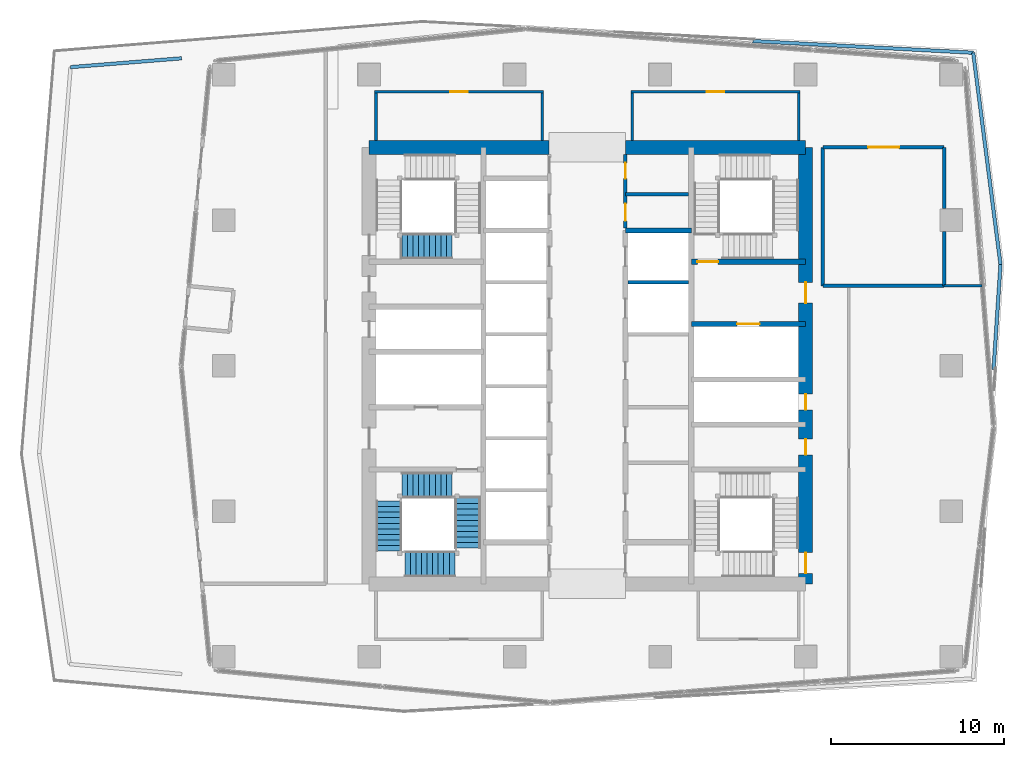
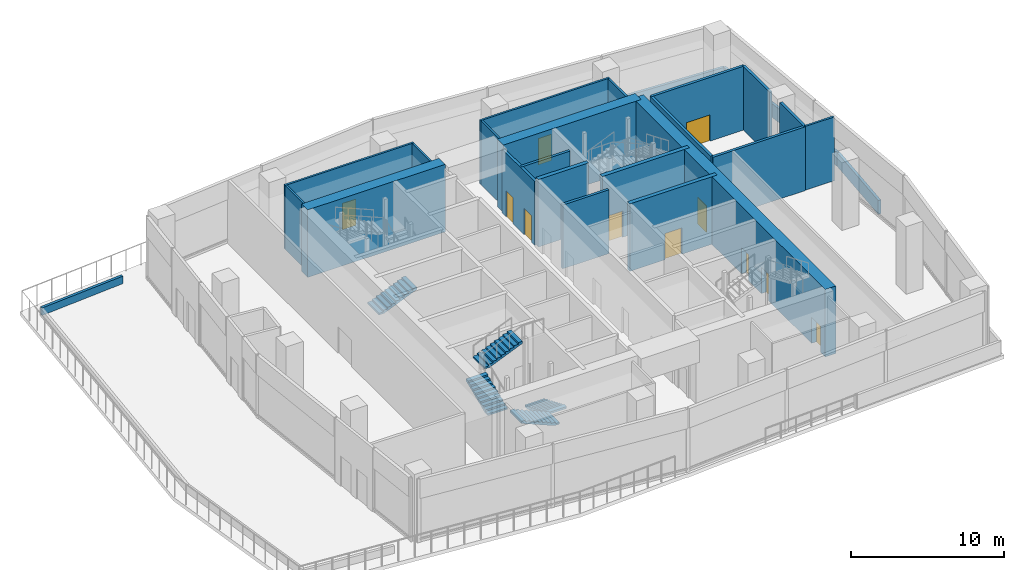
# One storey, part 14 of 22: 25 walls, 11 doors, 5 stair flights, 11 openings, 2 elements without a shape of their own.
"""IFC4 building model written with IfcOpenShell, lengths in metres."""

import ifcopenshell
import ifcopenshell.guid

model = None  # the IFC model being written
_history = None  # IfcOwnerHistory: only IFC2X3 demands one
_inside = {}  # id of a spatial element -> (the spatial element, [elements in it])
_under = {}  # id of a project, library or spatial element -> (it, [spatial elements below it])
_declared = {}  # id of a project -> (the project, [libraries it declares])
_typed = {}  # id of a type object -> (the type object, [elements of that type])
_made_of = {}  # id of a material, layer set ... -> (it, [elements and type objects made of it])


def new_model(schema):
    """Start an empty IFC model of exactly this schema.

    Asked for "IFC4X3", IfcOpenShell would pick the latest addendum, in which some entities
    have other attributes; the version numbers below select the first issue.
    IFC2X3 requires an IfcOwnerHistory on every rooted entity: one is made here for all.
    """
    global model, _history
    if schema == "IFC4X3":
        model = ifcopenshell.file(schema_version=(4, 3, 0, 0))
    else:
        model = ifcopenshell.file(schema=schema)
    _inside.clear()
    _under.clear()
    _declared.clear()
    _typed.clear()
    _made_of.clear()
    _history = None
    if model.schema == "IFC2X3":
        org = make("IfcOrganization", Name="unknown")
        user = make(
            "IfcPersonAndOrganization",
            ThePerson=make("IfcPerson", FamilyName="unknown"),
            TheOrganization=org,
        )
        app = make(
            "IfcApplication",
            ApplicationDeveloper=org,
            Version="unknown",
            ApplicationFullName="unknown",
            ApplicationIdentifier="unknown",
        )
        _history = make(
            "IfcOwnerHistory",
            OwningUser=user,
            OwningApplication=app,
            ChangeAction="ADDED",
            CreationDate=0,
        )
    return model


def make(cls, **values):
    """One entity of the class cls with the attributes given. An attribute that is None is left unset."""
    return model.create_entity(
        cls, **{name: value for name, value in values.items() if value is not None}
    )


def rooted(cls, **values):
    """An entity with a GlobalId (a new one), such as an element, a storey or a relation."""
    return make(cls, GlobalId=ifcopenshell.guid.new(), OwnerHistory=_history, **values)


def si_unit(unit_type, name, prefix=None):
    """IfcSIUnit, for example si_unit("LENGTHUNIT", "METRE", prefix="MILLI")."""
    return make("IfcSIUnit", UnitType=unit_type, Prefix=prefix, Name=name)


def assignment(units):
    """IfcUnitAssignment: the units of a project."""
    return None if units is None else make("IfcUnitAssignment", Units=units)


def point(xyz):
    """IfcCartesianPoint."""
    return None if xyz is None else make("IfcCartesianPoint", Coordinates=xyz)


def direction(xyz):
    """IfcDirection."""
    return None if xyz is None else make("IfcDirection", DirectionRatios=xyz)


def frame(location, z_axis=None, x_axis=None):
    """IfcAxis2Placement3D, a coordinate frame: its origin and axes. An axis left out is left unset."""
    return make(
        "IfcAxis2Placement3D",
        Location=point(location),
        Axis=direction(z_axis),
        RefDirection=direction(x_axis),
    )


def frame_2d(location, x_axis=None):
    """IfcAxis2Placement2D, a coordinate frame in the plane: its origin and x axis."""
    return make(
        "IfcAxis2Placement2D", Location=point(location), RefDirection=direction(x_axis)
    )


def origin():
    """The frame at (0, 0, 0) with its axes left unset."""
    return frame((0.0, 0.0, 0.0))


def place(relative_to, where):
    """IfcLocalPlacement: puts the frame where relative to a parent placement (None: the world)."""
    return make(
        "IfcLocalPlacement", PlacementRelTo=relative_to, RelativePlacement=where
    )


def context(
    kind, dimensions, precision=None, world=None, true_north=None, identifier=None
):
    """IfcGeometricRepresentationContext, for example the 3D "Model" context."""
    return make(
        "IfcGeometricRepresentationContext",
        ContextIdentifier=identifier,
        ContextType=kind,
        CoordinateSpaceDimension=dimensions,
        Precision=precision,
        WorldCoordinateSystem=world,
        TrueNorth=true_north,
    )


def subcontext(parent, identifier, kind, view, scale=None):
    """IfcGeometricRepresentationSubContext, for example "Body" below "Model"."""
    return make(
        "IfcGeometricRepresentationSubContext",
        ContextIdentifier=identifier,
        ContextType=kind,
        ParentContext=parent,
        TargetScale=scale,
        TargetView=view,
    )


def project(units=None, contexts=None):
    """IfcProject with its units and contexts."""
    return rooted(
        "IfcProject",
        Name="project",
        RepresentationContexts=contexts,
        UnitsInContext=assignment(units),
    )


def spatial(cls, under=None, at=None, **own):
    """A site, building, storey or space (cls), placed at a placement, below another one or the project."""
    s = rooted(cls, ObjectPlacement=at, **own)
    if under is not None:
        _under.setdefault(under.id(), (under, []))[1].append(s)
    return s


def polyline(points):
    """IfcPolyline through the points."""
    return make("IfcPolyline", Points=[point(p) for p in points])


def profile(cls, at=None, kind="AREA", **sizes):
    """A parametric profile (cls). Its sizes go by their IFC names, for example OverallWidth=200.0."""
    return make(cls, ProfileType=kind, Position=at, **sizes)


def rectangle(**sizes):
    """IfcRectangleProfileDef."""
    return profile("IfcRectangleProfileDef", **sizes)


def outline(outer, holes=None, kind="AREA"):
    """IfcArbitraryClosedProfileDef: a profile drawn as a closed curve; with holes, ...WithVoids."""
    if holes is None:
        return make("IfcArbitraryClosedProfileDef", ProfileType=kind, OuterCurve=outer)
    return make(
        "IfcArbitraryProfileDefWithVoids",
        ProfileType=kind,
        OuterCurve=outer,
        InnerCurves=holes,
    )


def extrude(swept, where, along, depth):
    """IfcExtrudedAreaSolid: the profile swept, set in the frame where, extruded along a direction by depth."""
    return make(
        "IfcExtrudedAreaSolid",
        SweptArea=swept,
        Position=where,
        ExtrudedDirection=direction(along),
        Depth=depth,
    )


def shape(context_of_items, identifier, shape_type, items):
    """IfcShapeRepresentation: the items that make up one representation, for example the "Body"."""
    return make(
        "IfcShapeRepresentation",
        ContextOfItems=context_of_items,
        RepresentationIdentifier=identifier,
        RepresentationType=shape_type,
        Items=items,
    )


def material(Name=None, Category=None):
    """IfcMaterial."""
    return make("IfcMaterial", Name=Name, Category=Category)


def layer(
    of_material, thickness, ventilated=None, Name=None, Category=None, Priority=None
):
    """IfcMaterialLayer: one layer of a wall or slab, of a material (None: an air gap)."""
    return make(
        "IfcMaterialLayer",
        Material=of_material,
        LayerThickness=thickness,
        IsVentilated=ventilated,
        Name=Name,
        Category=Category,
        Priority=Priority,
    )


def layer_set(layers, Name=None):
    """IfcMaterialLayerSet."""
    return make("IfcMaterialLayerSet", MaterialLayers=layers, LayerSetName=Name)


def made_of(thing, what):
    """Note that an element or type object is made of a material, layer set ...; save() writes the relation."""
    if what is not None:
        _made_of.setdefault(what.id(), (what, []))[1].append(thing)
    return thing


def type_object(cls, material=None, **own):
    """A type object (cls), such as IfcWallType, which elements share."""
    return made_of(rooted(cls, **own), material)


def element(
    cls,
    number,
    at=None,
    inside=None,
    cuts=None,
    type_object=None,
    material=None,
    context=None,
    identifier="Body",
    shape_type=None,
    held_by="IfcProductDefinitionShape",
    body=None,
    shapes=None,
    **own,
):
    """One element of the class cls, such as IfcWall. Its Tag is "e" and its number.

    at: its placement. inside: the storey or other place that contains it. cuts: it is an
    opening in that element (IfcRelVoidsElement). A single representation is given by context,
    identifier, shape_type and body (its items); several are given by shapes. held_by: the class
    of the entity that holds the representations. save() writes the other relations.
    """
    e = rooted(cls, Tag="e%d" % number, ObjectPlacement=at, **own)
    if body is not None:
        shapes = [shape(context, identifier, shape_type, body)]
    if shapes is not None:
        e.Representation = make(held_by, Representations=shapes)
    if inside is not None:
        _inside.setdefault(inside.id(), (inside, []))[1].append(e)
    if cuts is not None:
        rooted(
            "IfcRelVoidsElement", RelatingBuildingElement=cuts, RelatedOpeningElement=e
        )
    if type_object is not None:
        _typed.setdefault(type_object.id(), (type_object, []))[1].append(e)
    return made_of(e, material)


def fill(opening, filler):
    """IfcRelFillsElement: the door or window that sits in an opening."""
    return rooted(
        "IfcRelFillsElement",
        RelatingOpeningElement=opening,
        RelatedBuildingElement=filler,
    )


def aggregate(whole, parts):
    """IfcRelAggregates: a whole, such as a stair, and the parts it consists of."""
    return rooted("IfcRelAggregates", RelatingObject=whole, RelatedObjects=parts)


def save(model, path):
    """Write the relations noted so far, then the file.

    IfcRelAggregates (storeys below a building ...), IfcRelContainedInSpatialStructure (elements
    in a storey), IfcRelDefinesByType, IfcRelAssociatesMaterial and IfcRelDeclares: one each for
    every whole, place, type object, material and project.
    """
    for whole, parts in _under.values():
        aggregate(whole, parts)
    for where, things in _inside.values():
        rooted(
            "IfcRelContainedInSpatialStructure",
            RelatedElements=things,
            RelatingStructure=where,
        )
    for kind, things in _typed.values():
        rooted("IfcRelDefinesByType", RelatedObjects=things, RelatingType=kind)
    for what, things in _made_of.values():
        rooted("IfcRelAssociatesMaterial", RelatedObjects=things, RelatingMaterial=what)
    for by, libraries in _declared.values():
        rooted("IfcRelDeclares", RelatingContext=by, RelatedDefinitions=libraries)
    model.write(path)


model = new_model("IFC4")

# Units and contexts
model_context = context("Model", 3, precision=1e-05, world=origin(), true_north=direction((0.0, 1.0)))
body_context = subcontext(model_context, "Body", "Model", "MODEL_VIEW")
ifc_project = project(units=[si_unit("LENGTHUNIT", "METRE"), si_unit("AREAUNIT", "SQUARE_METRE"), si_unit("VOLUMEUNIT", "CUBIC_METRE"), si_unit("PLANEANGLEUNIT", "RADIAN"), si_unit("MASSUNIT", "GRAM", prefix="KILO")], contexts=[model_context])

# Site, building, storey
site_placement = place(None, origin())
site = spatial("IfcSite", under=ifc_project, at=site_placement, CompositionType="ELEMENT")
building_placement = place(site_placement, origin())
building = spatial("IfcBuilding", under=site, at=building_placement, Name="Rekha Terrace Tower", CompositionType="ELEMENT")
storey_placement = place(building_placement, frame((0.0, 0.0, 291.35009765625)))
storey = spatial("IfcBuildingStorey", under=building, at=storey_placement, Name="L74", CompositionType="ELEMENT", Elevation=291.35009765625)

# Wall
ifc_material_1 = material(Name="Concrete M60", Category="concrete")
ifc_layer_1 = layer(ifc_material_1, 0.300048828125)
ifc_layer_set_1 = layer_set([ifc_layer_1], Name="Concrete M60")
wall_type_1 = type_object("IfcWallType", Name="CI5 300 core internal shear wall", PredefinedType="SHEAR", material=ifc_layer_set_1)
wall_1_placement = place(storey_placement, frame((40.0, 41.39990234375, 0.0), z_axis=(0.0, 0.0, 1.0), x_axis=(1.0, 0.0, 0.0)))
element("IfcWall", 1, at=wall_1_placement, inside=storey, type_object=wall_type_1, Name="Core wall Y414E L74", PredefinedType="SHEAR", context=body_context, shape_type="SweptSolid", body=[
    extrude(rectangle(XDim=3.800048828125, YDim=0.300048828125, at=frame_2d((1.89990234375, 0.0))), origin(), (0.0, 0.0, 1.0), 5.39990234375),
])

# Wall, opening, door
wall_2_placement = place(storey_placement, frame((43.800048828125, 36.0, 0.0), z_axis=(0.0, 0.0, 1.0), x_axis=(1.0, 0.0, 0.0)))
wall_2 = element("IfcWall", 2, at=wall_2_placement, inside=storey, type_object=wall_type_1, Name="Core wall Y360E L74", PredefinedType="SHEAR", context=body_context, shape_type="SweptSolid", body=[
    extrude(rectangle(XDim=6.599853515625, YDim=0.300048828125, at=frame_2d((3.2998046875, 0.0))), origin(), (0.0, 0.0, 1.0), 5.39990234375),
])
opening_1_placement = place(wall_2_placement, frame((2.64990234375, 0.0, 0.0)))
opening_1 = element("IfcOpeningElement", 3, at=opening_1_placement, cuts=wall_2, Name="Opening LD2", PredefinedType="OPENING", context=body_context, shape_type="SweptSolid", body=[
    extrude(rectangle(XDim=1.300048828125, YDim=2.10009765625, at=frame_2d((0.64990234375, 1.050048828125))), frame((0.0, 0.159912109375, 0.0), z_axis=(0.0, -1.0, 0.0), x_axis=(1.0, 0.0, 0.0)), (0.0, 0.0, 1.0), 0.320068359375),
])
ifc_material_2 = material(Name="Stainless steel sliding landing door", Category="steel")
door_type_1 = type_object("IfcDoorType", Name="LD2 1300x2100 fire lift landing door", OperationType="SLIDING_TO_LEFT", PredefinedType="USERDEFINED", material=ifc_material_2)
door_1_placement = place(opening_1_placement, origin())
door_1 = element("IfcDoor", 4, at=door_1_placement, inside=storey, type_object=door_type_1, Name="Lift FL2 landing door L74", ObjectType="LIFT LANDING DOOR", OperationType="SLIDING_TO_LEFT", OverallHeight=2.10009765625, OverallWidth=1.300048828125, PredefinedType="USERDEFINED", context=body_context, shape_type="SweptSolid", body=[
    extrude(rectangle(XDim=1.300048828125, YDim=2.10009765625, at=frame_2d((0.64990234375, 1.050048828125))), frame((0.0, 0.02490234375, 0.0), z_axis=(0.0, -1.0, 0.0), x_axis=(1.0, 0.0, 0.0)), (0.0, 0.0, 1.0), 0.050048828125),
])
fill(opening_1, door_1)

wall_3_placement = place(storey_placement, frame((43.800048828125, 39.60009765625, 0.0), z_axis=(0.0, 0.0, 1.0), x_axis=(1.0, 0.0, 0.0)))
wall_3 = element("IfcWall", 5, at=wall_3_placement, inside=storey, type_object=wall_type_1, Name="Core wall Y396E L74", PredefinedType="SHEAR", context=body_context, shape_type="SweptSolid", body=[
    extrude(rectangle(XDim=6.599853515625, YDim=0.300048828125, at=frame_2d((3.2998046875, 0.0))), origin(), (0.0, 0.0, 1.0), 5.39990234375),
])
opening_2_placement = place(wall_3_placement, frame((0.35009765625, 0.0, 0.0)))
opening_2 = element("IfcOpeningElement", 6, at=opening_2_placement, cuts=wall_3, Name="Opening D1", PredefinedType="OPENING", context=body_context, shape_type="SweptSolid", body=[
    extrude(rectangle(XDim=1.199951171875, YDim=2.10009765625, at=frame_2d((0.60009765625, 1.050048828125))), frame((0.0, 0.159912109375, 0.0), z_axis=(0.0, -1.0, 0.0), x_axis=(1.0, 0.0, 0.0)), (0.0, 0.0, 1.0), 0.320068359375),
])
ifc_material_3 = material(Name="Steel fire door", Category="steel")
door_type_2 = type_object("IfcDoorType", Name="D1 1200x2100 stair fire door", OperationType="SINGLE_SWING_RIGHT", PredefinedType="DOOR", material=ifc_material_3)
door_2_placement = place(opening_2_placement, origin())
door_2 = element("IfcDoor", 7, at=door_2_placement, inside=storey, type_object=door_type_2, Name="Stair ST2 door L74", OperationType="SINGLE_SWING_RIGHT", OverallHeight=2.10009765625, OverallWidth=1.199951171875, PredefinedType="DOOR", context=body_context, shape_type="SweptSolid", body=[
    extrude(rectangle(XDim=1.199951171875, YDim=2.10009765625, at=frame_2d((0.60009765625, 1.050048828125))), frame((0.0, 0.02490234375, 0.0), z_axis=(0.0, -1.0, 0.0), x_axis=(1.0, 0.0, 0.0)), (0.0, 0.0, 1.0), 0.050048828125),
])
fill(opening_2, door_2)

# Walls
ifc_material_4 = material(Name="Concrete M40", Category="concrete")
ifc_layer_2 = layer(ifc_material_4, 0.199951171875)
ifc_layer_set_2 = layer_set([ifc_layer_2], Name="Concrete M40")
wall_type_2 = type_object("IfcWallType", Name="PL1 terrace planter wall 200", PredefinedType="USERDEFINED", material=ifc_layer_set_2)
wall_4_placement = place(storey_placement, frame((14.38232421875, 51.339111328125, 0.0), z_axis=(0.0, 0.0, 1.0), x_axis=(-0.996836484012, -0.079479709002, 0.0)))
element("IfcWall", 8, at=wall_4_placement, inside=storey, type_object=wall_type_2, Name="Terrace planter", ObjectType="PLANTER", PredefinedType="USERDEFINED", context=body_context, shape_type="SweptSolid", body=[
    extrude(rectangle(XDim=6.43212890625, YDim=0.199951171875, at=frame_2d((3.216064453125, 0.0))), origin(), (0.0, 0.0, 1.0), 0.599853515625),
])
ifc_layer_3 = layer(ifc_material_4, 0.199951171875)
ifc_layer_set_3 = layer_set([ifc_layer_3], Name="Concrete M40")
wall_type_3 = type_object("IfcWallType", Name="PP1 parapet wall 200", PredefinedType="PARAPET", material=ifc_layer_set_3)
wall_5_placement = place(storey_placement, frame((61.245849609375, 33.36181640625, 0.0), z_axis=(0.0, 0.0, 1.0), x_axis=(0.066276696506, 0.997801282571, 0.0)))
element("IfcWall", 9, at=wall_5_placement, inside=storey, type_object=wall_type_3, Name="Ledge parapet", PredefinedType="PARAPET", context=body_context, shape_type="SweptSolid", body=[
    extrude(rectangle(XDim=6.08544921875, YDim=0.199951171875, at=frame_2d((3.042724609375, 0.0))), origin(), (0.0, 0.0, 1.0), 1.099853515625),
])
wall_6_placement = place(storey_placement, frame((61.649169921875, 39.433837890625, 0.0), z_axis=(0.0, 0.0, 1.0), x_axis=(-0.127868272166, 0.991791159959, 0.0)))
element("IfcWall", 10, at=wall_6_placement, inside=storey, type_object=wall_type_3, Name="Ledge parapet", PredefinedType="PARAPET", context=body_context, shape_type="SweptSolid", body=[
    extrude(rectangle(XDim=12.326416015625, YDim=0.199951171875, at=frame_2d((6.1630859375, 0.0))), origin(), (0.0, 0.0, 1.0), 1.099853515625),
])
wall_7_placement = place(storey_placement, frame((60.072998046875, 51.6591796875, 0.0), z_axis=(0.0, 0.0, 1.0), x_axis=(-0.998590273222, 0.053079809964, 0.0)))
element("IfcWall", 11, at=wall_7_placement, inside=storey, type_object=wall_type_3, Name="Ledge parapet", PredefinedType="PARAPET", context=body_context, shape_type="SweptSolid", body=[
    extrude(rectangle(XDim=12.74072265625, YDim=0.199951171875, at=frame_2d((6.370361328125, 0.0))), origin(), (0.0, 0.0, 1.0), 1.099853515625),
])
ifc_layer_4 = layer(ifc_material_1, 0.800048828125)
ifc_layer_set_4 = layer_set([ifc_layer_4], Name="Concrete M60")
wall_type_4 = type_object("IfcWallType", Name="SW5 800 core outer shear wall", PredefinedType="SHEAR", material=ifc_layer_set_4)
wall_8_placement = place(storey_placement, frame((25.199951171875, 46.199951171875, 0.0), z_axis=(0.0, 0.0, 1.0), x_axis=(1.0, 0.0, 0.0)))
element("IfcWall", 12, at=wall_8_placement, inside=storey, type_object=wall_type_4, Name="Core wall N1 L74", PredefinedType="SHEAR", context=body_context, shape_type="SweptSolid", body=[
    extrude(rectangle(XDim=10.400146484375, YDim=0.800048828125, at=frame_2d((5.2001953125, 0.0))), origin(), (0.0, 0.0, 1.0), 5.39990234375),
])
wall_9_placement = place(storey_placement, frame((40.0, 46.199951171875, 0.0), z_axis=(0.0, 0.0, 1.0), x_axis=(1.0, 0.0, 0.0)))
element("IfcWall", 13, at=wall_9_placement, inside=storey, type_object=wall_type_4, Name="Core wall N2 L74", PredefinedType="SHEAR", context=body_context, shape_type="SweptSolid", body=[
    extrude(rectangle(XDim=10.39990234375, YDim=0.800048828125, at=frame_2d((5.199951171875, 0.0))), origin(), (0.0, 0.0, 1.0), 5.39990234375),
])

# Wall, openings, doors
wall_10_placement = place(storey_placement, frame((50.39990234375, 21.0, 0.0), z_axis=(0.0, 0.0, 1.0), x_axis=(0.0, 1.0, 0.0)))
wall_10 = element("IfcWall", 14, at=wall_10_placement, inside=storey, type_object=wall_type_4, Name="Core wall E L74", PredefinedType="SHEAR", context=body_context, shape_type="SweptSolid", body=[
    extrude(rectangle(XDim=25.199951171875, YDim=0.800048828125, at=frame_2d((12.60009765625, 0.0))), origin(), (0.0, 0.0, 1.0), 5.39990234375),
])
opening_3_placement = place(wall_10_placement, frame((16.199951171875, 0.0, 0.0)))
opening_3 = element("IfcOpeningElement", 15, at=opening_3_placement, cuts=wall_10, Name="Opening D2", PredefinedType="OPENING", context=body_context, shape_type="SweptSolid", body=[
    extrude(rectangle(XDim=1.199951171875, YDim=2.10009765625, at=frame_2d((0.60009765625, 1.050048828125))), frame((0.0, 0.409912109375, 0.0), z_axis=(0.0, -1.0, 0.0), x_axis=(1.0, 0.0, 0.0)), (0.0, 0.0, 1.0), 0.820068359375),
])
opening_4_placement = place(wall_10_placement, frame((10.050048828125, 0.0, 0.0)))
opening_4 = element("IfcOpeningElement", 16, at=opening_4_placement, cuts=wall_10, Name="Opening D5", PredefinedType="OPENING", context=body_context, shape_type="SweptSolid", body=[
    extrude(rectangle(XDim=0.89990234375, YDim=2.10009765625, at=frame_2d((0.449951171875, 1.050048828125))), frame((0.0, 0.409912109375, 0.0), z_axis=(0.0, -1.0, 0.0), x_axis=(1.0, 0.0, 0.0)), (0.0, 0.0, 1.0), 0.820068359375),
])
opening_5_placement = place(wall_10_placement, frame((7.449951171875, 0.0, 0.0)))
opening_5 = element("IfcOpeningElement", 17, at=opening_5_placement, cuts=wall_10, Name="Opening D5", PredefinedType="OPENING", context=body_context, shape_type="SweptSolid", body=[
    extrude(rectangle(XDim=0.89990234375, YDim=2.10009765625, at=frame_2d((0.449951171875, 1.050048828125))), frame((0.0, 0.409912109375, 0.0), z_axis=(0.0, -1.0, 0.0), x_axis=(1.0, 0.0, 0.0)), (0.0, 0.0, 1.0), 0.820068359375),
])
opening_6_placement = place(wall_10_placement, frame((0.60009765625, 0.0, 0.0)))
opening_6 = element("IfcOpeningElement", 18, at=opening_6_placement, cuts=wall_10, Name="Opening D1", PredefinedType="OPENING", context=body_context, shape_type="SweptSolid", body=[
    extrude(rectangle(XDim=1.199951171875, YDim=2.10009765625, at=frame_2d((0.60009765625, 1.050048828125))), frame((0.0, 0.409912109375, 0.0), z_axis=(0.0, -1.0, 0.0), x_axis=(1.0, 0.0, 0.0)), (0.0, 0.0, 1.0), 0.820068359375),
])
door_3_placement = place(opening_6_placement, origin())
door_3 = element("IfcDoor", 19, at=door_3_placement, inside=storey, type_object=door_type_2, Name="Stair ST3 door L74", OperationType="SINGLE_SWING_RIGHT", OverallHeight=2.10009765625, OverallWidth=1.199951171875, PredefinedType="DOOR", context=body_context, shape_type="SweptSolid", body=[
    extrude(rectangle(XDim=1.199951171875, YDim=2.10009765625, at=frame_2d((0.60009765625, 1.050048828125))), frame((0.0, 0.02490234375, 0.0), z_axis=(0.0, -1.0, 0.0), x_axis=(1.0, 0.0, 0.0)), (0.0, 0.0, 1.0), 0.050048828125),
])
fill(opening_6, door_3)
door_type_3 = type_object("IfcDoorType", Name="D2 1200x2100 firefighting lobby door", OperationType="SINGLE_SWING_LEFT", PredefinedType="DOOR", material=ifc_material_3)
door_4_placement = place(opening_3_placement, origin())
door_4 = element("IfcDoor", 20, at=door_4_placement, inside=storey, type_object=door_type_3, Name="Door flb2 L74", OperationType="SINGLE_SWING_LEFT", OverallHeight=2.10009765625, OverallWidth=1.199951171875, PredefinedType="DOOR", context=body_context, shape_type="SweptSolid", body=[
    extrude(rectangle(XDim=1.199951171875, YDim=2.10009765625, at=frame_2d((0.60009765625, 1.050048828125))), frame((0.0, 0.02490234375, 0.0), z_axis=(0.0, -1.0, 0.0), x_axis=(1.0, 0.0, 0.0)), (0.0, 0.0, 1.0), 0.050048828125),
])
fill(opening_3, door_4)
door_type_4 = type_object("IfcDoorType", Name="D5 900x2100 riser access door", OperationType="SINGLE_SWING_LEFT", PredefinedType="DOOR", material=ifc_material_3)
door_5_placement = place(opening_4_placement, origin())
door_5 = element("IfcDoor", 21, at=door_5_placement, inside=storey, type_object=door_type_4, Name="Door rs2 L74", OperationType="SINGLE_SWING_LEFT", OverallHeight=2.10009765625, OverallWidth=0.89990234375, PredefinedType="DOOR", context=body_context, shape_type="SweptSolid", body=[
    extrude(rectangle(XDim=0.89990234375, YDim=2.10009765625, at=frame_2d((0.449951171875, 1.050048828125))), frame((0.0, 0.02490234375, 0.0), z_axis=(0.0, -1.0, 0.0), x_axis=(1.0, 0.0, 0.0)), (0.0, 0.0, 1.0), 0.050048828125),
])
fill(opening_4, door_5)
door_6_placement = place(opening_5_placement, origin())
door_6 = element("IfcDoor", 22, at=door_6_placement, inside=storey, type_object=door_type_4, Name="Door ele L74", OperationType="SINGLE_SWING_LEFT", OverallHeight=2.10009765625, OverallWidth=0.89990234375, PredefinedType="DOOR", context=body_context, shape_type="SweptSolid", body=[
    extrude(rectangle(XDim=0.89990234375, YDim=2.10009765625, at=frame_2d((0.449951171875, 1.050048828125))), frame((0.0, 0.02490234375, 0.0), z_axis=(0.0, -1.0, 0.0), x_axis=(1.0, 0.0, 0.0)), (0.0, 0.0, 1.0), 0.050048828125),
])
fill(opening_5, door_6)

# Wall, opening, door
ifc_material_5 = material(Name="Solid concrete block masonry, 2 hour", Category="masonry")
ifc_layer_5 = layer(ifc_material_5, 0.199951171875)
ifc_layer_set_5 = layer_set([ifc_layer_5], Name="Solid concrete block masonry, 2 hour")
wall_type_5 = type_object("IfcWallType", Name="WP1 200 plant room wall", PredefinedType="PARTITIONING", material=ifc_layer_set_5)
wall_11_placement = place(storey_placement, frame((51.39990234375, 46.199951171875, 0.0), z_axis=(0.0, 0.0, 1.0), x_axis=(1.0, 0.0, 0.0)))
wall_11 = element("IfcWall", 23, at=wall_11_placement, inside=storey, type_object=wall_type_5, Name="Partition L74-03", PredefinedType="PARTITIONING", context=body_context, shape_type="SweptSolid", body=[
    extrude(rectangle(XDim=7.0, YDim=0.199951171875, at=frame_2d((3.5, 0.0))), origin(), (0.0, 0.0, 1.0), 5.099853515625),
])
opening_7_placement = place(wall_11_placement, frame((2.60009765625, 0.0, 0.0)))
opening_7 = element("IfcOpeningElement", 24, at=opening_7_placement, cuts=wall_11, Name="Opening D8", PredefinedType="OPENING", context=body_context, shape_type="SweptSolid", body=[
    extrude(rectangle(XDim=1.800048828125, YDim=2.10009765625, at=frame_2d((0.89990234375, 1.050048828125))), frame((0.0, 0.10986328125, 0.0), z_axis=(0.0, -1.0, 0.0), x_axis=(1.0, 0.0, 0.0)), (0.0, 0.0, 1.0), 0.219970703125),
])
ifc_material_6 = material(Name="Timber fire door", Category="wood")
door_type_5 = type_object("IfcDoorType", Name="D8 1800x2100 double leaf door", OperationType="DOUBLE_DOOR_SINGLE_SWING", PredefinedType="DOOR", material=ifc_material_6)
door_7_placement = place(opening_7_placement, origin())
door_7 = element("IfcDoor", 25, at=door_7_placement, inside=storey, type_object=door_type_5, Name="Door servery kitchen L74", OperationType="DOUBLE_DOOR_SINGLE_SWING", OverallHeight=2.10009765625, OverallWidth=1.800048828125, PredefinedType="DOOR", context=body_context, shape_type="SweptSolid", body=[
    extrude(rectangle(XDim=1.800048828125, YDim=2.10009765625, at=frame_2d((0.89990234375, 1.050048828125))), frame((0.0, 0.02490234375, 0.0), z_axis=(0.0, -1.0, 0.0), x_axis=(1.0, 0.0, 0.0)), (0.0, 0.0, 1.0), 0.050048828125),
])
fill(opening_7, door_7)

# Walls
wall_12_placement = place(storey_placement, frame((58.39990234375, 46.199951171875, 0.0), z_axis=(0.0, 0.0, 1.0), x_axis=(0.0, -1.0, 0.0)))
element("IfcWall", 26, at=wall_12_placement, inside=storey, type_object=wall_type_5, Name="Partition L74-03", PredefinedType="PARTITIONING", context=body_context, shape_type="SweptSolid", body=[
    extrude(rectangle(XDim=3.530029296875, YDim=0.199951171875, at=frame_2d((1.76513671875, 0.0))), origin(), (0.0, 0.0, 1.0), 5.099853515625),
])
wall_13_placement = place(storey_placement, frame((58.39990234375, 41.330078125, 0.0), z_axis=(0.0, 0.0, 1.0), x_axis=(0.0, -1.0, 0.0)))
element("IfcWall", 27, at=wall_13_placement, inside=storey, type_object=wall_type_5, Name="Partition L74-03", PredefinedType="PARTITIONING", context=body_context, shape_type="SweptSolid", body=[
    extrude(rectangle(XDim=3.130126953125, YDim=0.199951171875, at=frame_2d((1.56494140625, 0.0))), origin(), (0.0, 0.0, 1.0), 5.099853515625),
])
wall_14_placement = place(storey_placement, frame((58.39990234375, 38.199951171875, 0.0), z_axis=(0.0, 0.0, 1.0), x_axis=(-1.0, 0.0, 0.0)))
element("IfcWall", 28, at=wall_14_placement, inside=storey, type_object=wall_type_5, Name="Partition L74-03", PredefinedType="PARTITIONING", context=body_context, shape_type="SweptSolid", body=[
    extrude(rectangle(XDim=7.0, YDim=0.199951171875, at=frame_2d((3.5, 0.0))), origin(), (0.0, 0.0, 1.0), 5.099853515625),
])
wall_15_placement = place(storey_placement, frame((51.39990234375, 38.199951171875, 0.0), z_axis=(0.0, 0.0, 1.0), x_axis=(0.0, 1.0, 0.0)))
element("IfcWall", 29, at=wall_15_placement, inside=storey, type_object=wall_type_5, Name="Partition L74-03", PredefinedType="PARTITIONING", context=body_context, shape_type="SweptSolid", body=[
    extrude(rectangle(XDim=8.0, YDim=0.199951171875, at=frame_2d((4.0, 0.0))), origin(), (0.0, 0.0, 1.0), 5.099853515625),
])

# Wall, opening, door
ifc_material_7 = material(Name="Concrete block masonry, 1 hour", Category="masonry")
ifc_layer_6 = layer(ifc_material_7, 0.14990234375)
ifc_layer_set_6 = layer_set([ifc_layer_6], Name="Concrete block masonry, 1 hour")
wall_type_6 = type_object("IfcWallType", Name="WP2 150 tenancy partition", PredefinedType="PARTITIONING", material=ifc_layer_set_6)
wall_16_placement = place(storey_placement, frame((40.324951171875, 49.39990234375, 0.0), z_axis=(0.0, 0.0, 1.0), x_axis=(1.0, 0.0, 0.0)))
wall_16 = element("IfcWall", 30, at=wall_16_placement, inside=storey, type_object=wall_type_6, Name="Women's WC wall L74", PredefinedType="PARTITIONING", context=body_context, shape_type="SweptSolid", body=[
    extrude(rectangle(XDim=9.75, YDim=0.14990234375, at=frame_2d((4.875, 0.0))), origin(), (0.0, 0.0, 1.0), 5.099853515625),
])
opening_8_placement = place(wall_16_placement, frame((4.375, 0.0, 0.0)))
opening_8 = element("IfcOpeningElement", 31, at=opening_8_placement, cuts=wall_16, Name="Opening D3", PredefinedType="OPENING", context=body_context, shape_type="SweptSolid", body=[
    extrude(rectangle(XDim=1.0, YDim=2.10009765625, at=frame_2d((0.5, 1.050048828125))), frame((0.0, 0.0849609375, 0.0), z_axis=(0.0, -1.0, 0.0), x_axis=(1.0, 0.0, 0.0)), (0.0, 0.0, 1.0), 0.169921875),
])
ifc_material_8 = material(Name="Laminated timber fire door", Category="wood")
door_type_6 = type_object("IfcDoorType", Name="D3 1000x2100 WC door", OperationType="SINGLE_SWING_LEFT", PredefinedType="DOOR", material=ifc_material_8)
door_8_placement = place(opening_8_placement, origin())
door_8 = element("IfcDoor", 32, at=door_8_placement, inside=storey, type_object=door_type_6, Name="Door women's wc L74", OperationType="SINGLE_SWING_LEFT", OverallHeight=2.10009765625, OverallWidth=1.0, PredefinedType="DOOR", context=body_context, shape_type="SweptSolid", body=[
    extrude(rectangle(XDim=1.0, YDim=2.10009765625, at=frame_2d((0.5, 1.050048828125))), frame((0.0, 0.02490234375, 0.0), z_axis=(0.0, -1.0, 0.0), x_axis=(1.0, 0.0, 0.0)), (0.0, 0.0, 1.0), 0.050048828125),
])
fill(opening_8, door_8)

# Walls
for number, where, z_axis, x_axis, name in (
    (33, (40.39990234375, 46.60009765625, 0.0), (0.0, 0.0, 1.0), (0.0, 1.0, 0.0), "Women's WC wall L74"),
    (34, (50.0, 46.60009765625, 0.0), (0.0, 0.0, 1.0), (0.0, 1.0, 0.0), "Women's WC wall L74"),
):
    element("IfcWall", number, at=place(storey_placement, frame(where, z_axis=z_axis, x_axis=x_axis)), inside=storey, type_object=wall_type_6, Name=name, PredefinedType="PARTITIONING", context=body_context, shape_type="SweptSolid", body=[
        extrude(rectangle(XDim=2.724853515625, YDim=0.14990234375, at=frame_2d((1.3623046875, 0.0))), origin(), (0.0, 0.0, 1.0), 5.099853515625),
    ])

# Wall, opening, door
wall_17_placement = place(storey_placement, frame((25.52490234375, 49.39990234375, 0.0), z_axis=(0.0, 0.0, 1.0), x_axis=(1.0, 0.0, 0.0)))
wall_17 = element("IfcWall", 35, at=wall_17_placement, inside=storey, type_object=wall_type_6, Name="Women's WC wall L74", PredefinedType="PARTITIONING", context=body_context, shape_type="SweptSolid", body=[
    extrude(rectangle(XDim=9.75, YDim=0.14990234375, at=frame_2d((4.875, 0.0))), origin(), (0.0, 0.0, 1.0), 5.099853515625),
])
opening_9_placement = place(wall_17_placement, frame((4.375, 0.0, 0.0)))
opening_9 = element("IfcOpeningElement", 36, at=opening_9_placement, cuts=wall_17, Name="Opening D3", PredefinedType="OPENING", context=body_context, shape_type="SweptSolid", body=[
    extrude(rectangle(XDim=1.0, YDim=2.10009765625, at=frame_2d((0.5, 1.050048828125))), frame((0.0, 0.0849609375, 0.0), z_axis=(0.0, -1.0, 0.0), x_axis=(1.0, 0.0, 0.0)), (0.0, 0.0, 1.0), 0.169921875),
])
door_9_placement = place(opening_9_placement, origin())
door_9 = element("IfcDoor", 37, at=door_9_placement, inside=storey, type_object=door_type_6, Name="Door women's wc L74", OperationType="SINGLE_SWING_LEFT", OverallHeight=2.10009765625, OverallWidth=1.0, PredefinedType="DOOR", context=body_context, shape_type="SweptSolid", body=[
    extrude(rectangle(XDim=1.0, YDim=2.10009765625, at=frame_2d((0.5, 1.050048828125))), frame((0.0, 0.02490234375, 0.0), z_axis=(0.0, -1.0, 0.0), x_axis=(1.0, 0.0, 0.0)), (0.0, 0.0, 1.0), 0.050048828125),
])
fill(opening_9, door_9)

# Walls
for number, where, z_axis, x_axis, name in (
    (38, (25.60009765625, 46.60009765625, 0.0), (0.0, 0.0, 1.0), (0.0, 1.0, 0.0), "Women's WC wall L74"),
    (39, (35.199951171875, 46.60009765625, 0.0), (0.0, 0.0, 1.0), (0.0, 1.0, 0.0), "Women's WC wall L74"),
):
    element("IfcWall", number, at=place(storey_placement, frame(where, z_axis=z_axis, x_axis=x_axis)), inside=storey, type_object=wall_type_6, Name=name, PredefinedType="PARTITIONING", context=body_context, shape_type="SweptSolid", body=[
        extrude(rectangle(XDim=2.724853515625, YDim=0.14990234375, at=frame_2d((1.3623046875, 0.0))), origin(), (0.0, 0.0, 1.0), 5.099853515625),
    ])
wall_18_placement = place(storey_placement, frame((58.39990234375, 38.199951171875, 0.0), z_axis=(0.0, 0.0, 1.0), x_axis=(1.0, 0.0, 0.0)))
element("IfcWall", 40, at=wall_18_placement, inside=storey, type_object=wall_type_6, Name="Partition L74-05", PredefinedType="PARTITIONING", context=body_context, shape_type="SweptSolid", body=[
    extrude(rectangle(XDim=2.17919921875, YDim=0.14990234375, at=frame_2d((1.089599609375, 0.0))), origin(), (0.0, 0.0, 1.0), 5.099853515625),
])
ifc_layer_7 = layer(ifc_material_5, 0.199951171875)
ifc_layer_set_7 = layer_set([ifc_layer_7], Name="Solid concrete block masonry, 2 hour")
wall_type_7 = type_object("IfcWallType", Name="WS1 200 stair and shaft enclosure", PredefinedType="PARTITIONING", material=ifc_layer_set_7)
wall_19_placement = place(storey_placement, frame((40.14990234375, 38.39990234375, 0.0), z_axis=(0.0, 0.0, 1.0), x_axis=(1.0, 0.0, 0.0)))
element("IfcWall", 41, at=wall_19_placement, inside=storey, type_object=wall_type_7, Name="Lift shaft divider L74", PredefinedType="PARTITIONING", context=body_context, shape_type="SweptSolid", body=[
    extrude(rectangle(XDim=3.5, YDim=0.199951171875, at=frame_2d((1.75, 0.0))), origin(), (0.0, 0.0, 1.0), 5.099853515625),
])

# Wall, openings, doors
wall_20_placement = place(storey_placement, frame((40.0, 41.550048828125, 0.0), z_axis=(0.0, 0.0, 1.0), x_axis=(0.0, 1.0, 0.0)))
wall_20 = element("IfcWall", 42, at=wall_20_placement, inside=storey, type_object=wall_type_7, Name="Core partition elec L74", PredefinedType="PARTITIONING", context=body_context, shape_type="SweptSolid", body=[
    extrude(rectangle(XDim=4.25, YDim=0.199951171875, at=frame_2d((2.125, 0.0))), origin(), (0.0, 0.0, 1.0), 5.099853515625),
])
opening_10_placement = place(wall_20_placement, frame((2.85009765625, 0.0, 0.0)))
opening_10 = element("IfcOpeningElement", 43, at=opening_10_placement, cuts=wall_20, Name="Opening D5", PredefinedType="OPENING", context=body_context, shape_type="SweptSolid", body=[
    extrude(rectangle(XDim=0.89990234375, YDim=2.10009765625, at=frame_2d((0.449951171875, 1.050048828125))), frame((0.0, 0.10986328125, 0.0), z_axis=(0.0, -1.0, 0.0), x_axis=(1.0, 0.0, 0.0)), (0.0, 0.0, 1.0), 0.219970703125),
])
opening_11_placement = place(wall_20_placement, frame((0.39990234375, 0.0, 0.0)))
opening_11 = element("IfcOpeningElement", 44, at=opening_11_placement, cuts=wall_20, Name="Opening D9", PredefinedType="OPENING", context=body_context, shape_type="SweptSolid", body=[
    extrude(rectangle(XDim=1.0, YDim=2.10009765625, at=frame_2d((0.5, 1.050048828125))), frame((0.0, 0.10986328125, 0.0), z_axis=(0.0, -1.0, 0.0), x_axis=(1.0, 0.0, 0.0)), (0.0, 0.0, 1.0), 0.219970703125),
])
door_10_placement = place(opening_10_placement, origin())
door_10 = element("IfcDoor", 45, at=door_10_placement, inside=storey, type_object=door_type_4, Name="Door electrical room L74", OperationType="SINGLE_SWING_LEFT", OverallHeight=2.10009765625, OverallWidth=0.89990234375, PredefinedType="DOOR", context=body_context, shape_type="SweptSolid", body=[
    extrude(rectangle(XDim=0.89990234375, YDim=2.10009765625, at=frame_2d((0.449951171875, 1.050048828125))), frame((0.0, 0.02490234375, 0.0), z_axis=(0.0, -1.0, 0.0), x_axis=(1.0, 0.0, 0.0)), (0.0, 0.0, 1.0), 0.050048828125),
])
fill(opening_10, door_10)
door_type_7 = type_object("IfcDoorType", Name="D9 1000x2100 office door", OperationType="SINGLE_SWING_LEFT", PredefinedType="DOOR", material=ifc_material_6)
door_11_placement = place(opening_11_placement, origin())
door_11 = element("IfcDoor", 46, at=door_11_placement, inside=storey, type_object=door_type_7, Name="Door mail and print room L74", OperationType="SINGLE_SWING_LEFT", OverallHeight=2.10009765625, OverallWidth=1.0, PredefinedType="DOOR", context=body_context, shape_type="SweptSolid", body=[
    extrude(rectangle(XDim=1.0, YDim=2.10009765625, at=frame_2d((0.5, 1.050048828125))), frame((0.0, 0.02490234375, 0.0), z_axis=(0.0, -1.0, 0.0), x_axis=(1.0, 0.0, 0.0)), (0.0, 0.0, 1.0), 0.050048828125),
])
fill(opening_11, door_11)

# Wall
wall_21_placement = place(storey_placement, frame((40.0, 43.5, 0.0), z_axis=(0.0, 0.0, 1.0), x_axis=(1.0, 0.0, 0.0)))
element("IfcWall", 47, at=wall_21_placement, inside=storey, type_object=wall_type_7, Name="Core partition elx L74", PredefinedType="PARTITIONING", context=body_context, shape_type="SweptSolid", body=[
    extrude(rectangle(XDim=3.64990234375, YDim=0.199951171875, at=frame_2d((1.824951171875, 0.0))), origin(), (0.0, 0.0, 1.0), 5.099853515625),
])

# Stair, stair flights
stair_type = type_object("IfcStairType", Name="ST40 stair, 40 risers of 135, going 320, 1500 wide flights, 4 flights", PredefinedType="QUARTER_TURN_STAIR", material=ifc_material_4)
stair_1_placement = place(storey_placement, origin())
stair_1 = element("IfcStair", 48, at=stair_1_placement, inside=storey, type_object=stair_type, Name="Stair ST1 L74 to L75", PredefinedType="QUARTER_TURN_STAIR")
stair_flight_type = type_object("IfcStairFlightType", Name="SF10 stair flight, 10 risers of 135, going 320, 1500 wide", PredefinedType="STRAIGHT", material=ifc_material_4)
stair_flight_1_placement = place(storey_placement, frame((30.89990234375, 25.949951171875, 0.0), z_axis=(0.0, 0.0, 1.0), x_axis=(0.0, -1.0, 0.0)))
stair_flight_1 = element("IfcStairFlight", 49, at=stair_flight_1_placement, type_object=stair_flight_type, Name="ST1 flight 1", NumberOfRisers=10, NumberOfTreads=9, PredefinedType="STRAIGHT", RiserHeight=0.135, TreadLength=0.32, context=body_context, shape_type="SweptSolid", body=[
    extrude(outline(polyline([(0.0, 0.0), (0.0, 0.135009765625), (0.320068359375, 0.135009765625), (0.320068359375, 0.27001953125), (0.639892578125, 0.27001953125), (0.639892578125, 0.405029296875), (0.9599609375, 0.405029296875), (0.9599609375, 0.5400390625), (1.280029296875, 0.5400390625), (1.280029296875, 0.675048828125), (1.60009765625, 0.675048828125), (1.60009765625, 0.81005859375), (1.919921875, 0.81005859375), (1.919921875, 0.945068359375), (2.239990234375, 0.945068359375), (2.239990234375, 1.080078125), (2.56005859375, 1.080078125), (2.56005859375, 1.215087890625), (2.8798828125, 1.215087890625), (2.8798828125, 1.35009765625), (2.8798828125, 1.05224609375), (0.3857421875, 0.0), (0.0, 0.0)])), frame((0.0, 0.75, 0.0), z_axis=(0.0, -1.0, 0.0), x_axis=(1.0, 0.0, 0.0)), (0.0, 0.0, 1.0), 1.5),
])
stair_flight_2_placement = place(storey_placement, frame((30.14990234375, 22.14990234375, 1.349853515625), z_axis=(0.0, 0.0, 1.0), x_axis=(-1.0, 0.0, 0.0)))
stair_flight_2 = element("IfcStairFlight", 50, at=stair_flight_2_placement, type_object=stair_flight_type, Name="ST1 flight 2", NumberOfRisers=10, NumberOfTreads=9, PredefinedType="STRAIGHT", RiserHeight=0.135, TreadLength=0.32, context=body_context, shape_type="SweptSolid", body=[
    extrude(outline(polyline([(0.0, 0.0), (0.0, 0.135009765625), (0.320068359375, 0.135009765625), (0.320068359375, 0.27001953125), (0.639892578125, 0.27001953125), (0.639892578125, 0.405029296875), (0.9599609375, 0.405029296875), (0.9599609375, 0.5400390625), (1.280029296875, 0.5400390625), (1.280029296875, 0.675048828125), (1.60009765625, 0.675048828125), (1.60009765625, 0.81005859375), (1.919921875, 0.81005859375), (1.919921875, 0.945068359375), (2.239990234375, 0.945068359375), (2.239990234375, 1.080078125), (2.56005859375, 1.080078125), (2.56005859375, 1.215087890625), (2.8798828125, 1.215087890625), (2.8798828125, 1.35009765625), (2.8798828125, 1.05224609375), (0.3857421875, 0.0), (0.0, 0.0)])), frame((0.0, 0.75, 0.0), z_axis=(0.0, -1.0, 0.0), x_axis=(1.0, 0.0, 0.0)), (0.0, 0.0, 1.0), 1.5),
])
stair_flight_3_placement = place(storey_placement, frame((26.35009765625, 22.89990234375, 2.699951171875), z_axis=(0.0, 0.0, 1.0), x_axis=(0.0, 1.0, 0.0)))
stair_flight_3 = element("IfcStairFlight", 51, at=stair_flight_3_placement, type_object=stair_flight_type, Name="ST1 flight 3", NumberOfRisers=10, NumberOfTreads=9, PredefinedType="STRAIGHT", RiserHeight=0.135, TreadLength=0.32, context=body_context, shape_type="SweptSolid", body=[
    extrude(outline(polyline([(0.0, 0.0), (0.0, 0.135009765625), (0.320068359375, 0.135009765625), (0.320068359375, 0.27001953125), (0.639892578125, 0.27001953125), (0.639892578125, 0.405029296875), (0.9599609375, 0.405029296875), (0.9599609375, 0.5400390625), (1.280029296875, 0.5400390625), (1.280029296875, 0.675048828125), (1.60009765625, 0.675048828125), (1.60009765625, 0.81005859375), (1.919921875, 0.81005859375), (1.919921875, 0.945068359375), (2.239990234375, 0.945068359375), (2.239990234375, 1.080078125), (2.56005859375, 1.080078125), (2.56005859375, 1.215087890625), (2.8798828125, 1.215087890625), (2.8798828125, 1.35009765625), (2.8798828125, 1.05224609375), (0.3857421875, 0.0), (0.0, 0.0)])), frame((0.0, 0.75, 0.0), z_axis=(0.0, -1.0, 0.0), x_axis=(1.0, 0.0, 0.0)), (0.0, 0.0, 1.0), 1.5),
])
stair_flight_4_placement = place(storey_placement, frame((27.10009765625, 26.699951171875, 4.0498046875), z_axis=(0.0, 0.0, 1.0), x_axis=(1.0, 0.0, 0.0)))
stair_flight_4 = element("IfcStairFlight", 52, at=stair_flight_4_placement, type_object=stair_flight_type, Name="ST1 flight 4", NumberOfRisers=10, NumberOfTreads=9, PredefinedType="STRAIGHT", RiserHeight=0.135, TreadLength=0.32, context=body_context, shape_type="SweptSolid", body=[
    extrude(outline(polyline([(0.0, 0.0), (0.0, 0.135009765625), (0.320068359375, 0.135009765625), (0.320068359375, 0.27001953125), (0.639892578125, 0.27001953125), (0.639892578125, 0.405029296875), (0.9599609375, 0.405029296875), (0.9599609375, 0.5400390625), (1.280029296875, 0.5400390625), (1.280029296875, 0.675048828125), (1.60009765625, 0.675048828125), (1.60009765625, 0.81005859375), (1.919921875, 0.81005859375), (1.919921875, 0.945068359375), (2.239990234375, 0.945068359375), (2.239990234375, 1.080078125), (2.56005859375, 1.080078125), (2.56005859375, 1.215087890625), (2.8798828125, 1.215087890625), (2.8798828125, 1.35009765625), (2.8798828125, 1.05224609375), (0.3857421875, 0.0), (0.0, 0.0)])), frame((0.0, 0.75, 0.0), z_axis=(0.0, -1.0, 0.0), x_axis=(1.0, 0.0, 0.0)), (0.0, 0.0, 1.0), 1.5),
])
aggregate(stair_1, [stair_flight_1, stair_flight_2, stair_flight_3, stair_flight_4])

# Stair, stair flight
stair_2_placement = place(storey_placement, origin())
stair_2 = element("IfcStair", 53, at=stair_2_placement, inside=storey, type_object=stair_type, Name="Stair ST4 L74 to L75", PredefinedType="QUARTER_TURN_STAIR")
stair_flight_5_placement = place(storey_placement, frame((27.10009765625, 40.5, 0.0), z_axis=(0.0, 0.0, 1.0), x_axis=(1.0, 0.0, 0.0)))
stair_flight_5 = element("IfcStairFlight", 54, at=stair_flight_5_placement, type_object=stair_flight_type, Name="ST4 flight 1", NumberOfRisers=10, NumberOfTreads=9, PredefinedType="STRAIGHT", RiserHeight=0.135, TreadLength=0.32, context=body_context, shape_type="SweptSolid", body=[
    extrude(outline(polyline([(0.0, 0.0), (0.0, 0.135009765625), (0.320068359375, 0.135009765625), (0.320068359375, 0.27001953125), (0.639892578125, 0.27001953125), (0.639892578125, 0.405029296875), (0.9599609375, 0.405029296875), (0.9599609375, 0.5400390625), (1.280029296875, 0.5400390625), (1.280029296875, 0.675048828125), (1.60009765625, 0.675048828125), (1.60009765625, 0.81005859375), (1.919921875, 0.81005859375), (1.919921875, 0.945068359375), (2.239990234375, 0.945068359375), (2.239990234375, 1.080078125), (2.56005859375, 1.080078125), (2.56005859375, 1.215087890625), (2.8798828125, 1.215087890625), (2.8798828125, 1.35009765625), (2.8798828125, 1.05224609375), (0.3857421875, 0.0), (0.0, 0.0)])), frame((0.0, 0.75, 0.0), z_axis=(0.0, -1.0, 0.0), x_axis=(1.0, 0.0, 0.0)), (0.0, 0.0, 1.0), 1.5),
])
aggregate(stair_2, [stair_flight_5])

save(model, "model.ifc")
